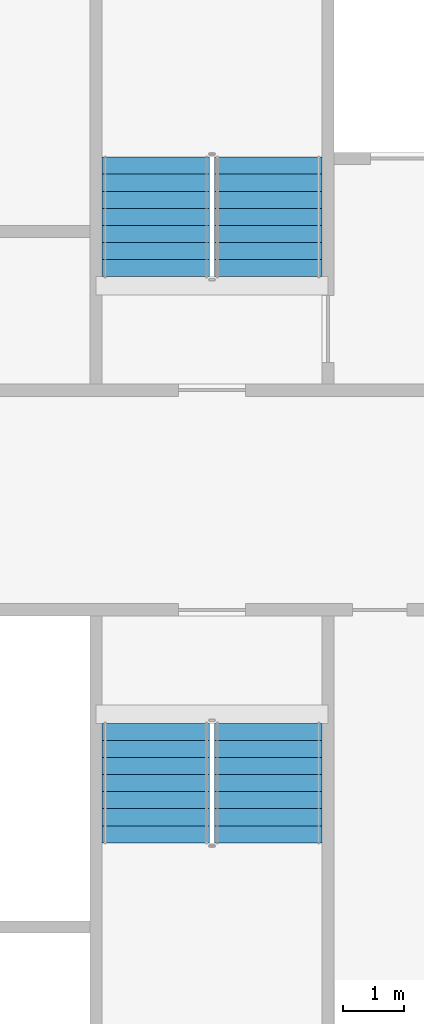
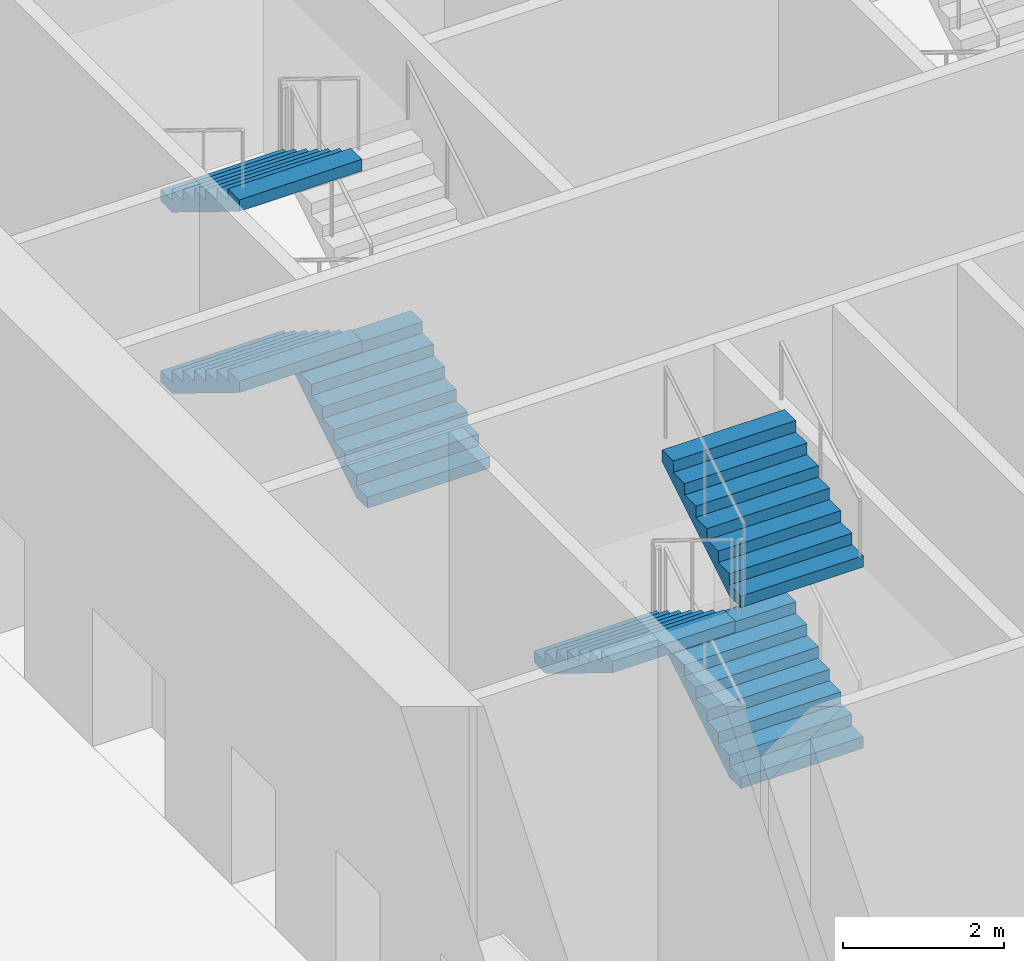
# One storey, part 14 of 23: 6 stair flights, 2 elements without a shape of their own.
"""IFC4 building model written with IfcOpenShell, lengths in metres."""

from ifc_helpers import new_model, si_unit, direction, frame, origin, place, context, subcontext, project, spatial, faceted_brep, material, type_object, element, aggregate, save


model = new_model("IFC4")

# Units and contexts
model_context = context("Model", 3, precision=1e-05, world=origin(), true_north=direction((0.0, 1.0)))
body_context = subcontext(model_context, "Body", "Model", "MODEL_VIEW")
ifc_project = project(units=[si_unit("LENGTHUNIT", "METRE"), si_unit("AREAUNIT", "SQUARE_METRE"), si_unit("VOLUMEUNIT", "CUBIC_METRE"), si_unit("PLANEANGLEUNIT", "RADIAN"), si_unit("MASSUNIT", "GRAM", prefix="KILO")], contexts=[model_context])

# Site, building, storey
site_placement = place(None, origin())
site = spatial("IfcSite", under=ifc_project, at=site_placement, CompositionType="ELEMENT")
building_placement = place(site_placement, origin())
building = spatial("IfcBuilding", under=site, at=building_placement, Name="Tarsis Ring Headquarters", CompositionType="ELEMENT")
storey_placement = place(building_placement, frame((0.0, 0.0, 14.0)))
storey = spatial("IfcBuildingStorey", under=building, at=storey_placement, Name="L02", CompositionType="ELEMENT", Elevation=14.0)

# Stair, stair flights
ifc_material_1 = material(Name="Core stair 1760")
stair_type = type_object("IfcStairType", Name="Core stair 1760", PredefinedType="HALF_TURN_STAIR", material=ifc_material_1)
stair_1_placement = place(storey_placement, origin())
stair_1 = element("IfcStair", 1, at=stair_1_placement, inside=storey, type_object=stair_type, Name="L02 Firefighting stair", PredefinedType="HALF_TURN_STAIR")
ifc_material_2 = material(Name="Concrete C40/50", Category="concrete")
stair_flight_type = type_object("IfcStairFlightType", Name="Core stair flight 1760", PredefinedType="STRAIGHT", material=ifc_material_2)
stair_flight_1_placement = place(storey_placement, frame((-3.580078125, 3.659912109375, 0.0), z_axis=(0.0, 0.0, 1.0), x_axis=(0.0, 1.0, 0.0)))
stair_flight_1 = element("IfcStairFlight", 2, at=stair_flight_1_placement, type_object=stair_flight_type, Name="Stair ST1 flight 1", NumberOfRisers=8, NumberOfTreads=7, PredefinedType="STRAIGHT", RiserHeight=0.171875, TreadLength=0.28, context=body_context, shape_type="Brep", body=[
    faceted_brep([(0.0, 0.8798828125, 0.0), (0.0, 0.8798828125, 0.171875), (0.280029296875, 0.8798828125, 0.171875), (0.280029296875, 0.8798828125, 0.34375), (0.56005859375, 0.8798828125, 0.34375), (0.56005859375, 0.8798828125, 0.515625), (0.840087890625, 0.8798828125, 0.515625), (0.840087890625, 0.8798828125, 0.6875), (1.1201171875, 0.8798828125, 0.6875), (1.1201171875, 0.8798828125, 0.859375), (1.39990234375, 0.8798828125, 0.859375), (1.39990234375, 0.8798828125, 1.03125), (1.679931640625, 0.8798828125, 1.03125), (1.679931640625, 0.8798828125, 1.203125), (1.9599609375, 0.8798828125, 1.203125), (1.9599609375, 0.8798828125, 1.02734375), (0.28662109375, 0.8798828125, 0.0), (0.28662109375, -0.8798828125, 0.0), (1.9599609375, -0.8798828125, 1.02734375), (1.9599609375, -0.8798828125, 1.203125), (1.679931640625, -0.8798828125, 1.203125), (1.679931640625, -0.8798828125, 1.03125), (1.39990234375, -0.8798828125, 1.03125), (1.39990234375, -0.8798828125, 0.859375), (1.1201171875, -0.8798828125, 0.859375), (1.1201171875, -0.8798828125, 0.6875), (0.840087890625, -0.8798828125, 0.6875), (0.840087890625, -0.8798828125, 0.515625), (0.56005859375, -0.8798828125, 0.515625), (0.56005859375, -0.8798828125, 0.34375), (0.280029296875, -0.8798828125, 0.34375), (0.280029296875, -0.8798828125, 0.171875), (0.0, -0.8798828125, 0.171875), (0.0, -0.8798828125, 0.0), (0.0, -0.43994140625, 0.171875), (0.0, -0.43994140625, 0.0), (0.0, 0.0, 0.171875), (0.0, 0.0, 0.0), (0.0, 0.43994140625, 0.171875), (0.0, 0.43994140625, 0.0), (0.280029296875, -0.43994140625, 0.171875), (0.280029296875, 0.0, 0.171875), (0.280029296875, 0.43994140625, 0.171875), (0.280029296875, -0.43994140625, 0.34375), (0.280029296875, 0.0, 0.34375), (0.280029296875, 0.43994140625, 0.34375), (0.56005859375, -0.43994140625, 0.34375), (0.56005859375, 0.0, 0.34375), (0.56005859375, 0.43994140625, 0.34375), (0.56005859375, -0.43994140625, 0.515625), (0.56005859375, 0.0, 0.515625), (0.56005859375, 0.43994140625, 0.515625), (0.840087890625, -0.43994140625, 0.515625), (0.840087890625, 0.0, 0.515625), (0.840087890625, 0.43994140625, 0.515625), (0.840087890625, -0.43994140625, 0.6875), (0.840087890625, 0.0, 0.6875), (0.840087890625, 0.43994140625, 0.6875), (1.1201171875, -0.43994140625, 0.6875), (1.1201171875, 0.0, 0.6875), (1.1201171875, 0.43994140625, 0.6875), (1.1201171875, -0.43994140625, 0.859375), (1.1201171875, 0.0, 0.859375), (1.1201171875, 0.43994140625, 0.859375), (1.39990234375, -0.43994140625, 0.859375), (1.39990234375, 0.0, 0.859375), (1.39990234375, 0.43994140625, 0.859375), (1.39990234375, -0.43994140625, 1.03125), (1.39990234375, 0.0, 1.03125), (1.39990234375, 0.43994140625, 1.03125), (1.679931640625, -0.43994140625, 1.03125), (1.679931640625, 0.0, 1.03125), (1.679931640625, 0.43994140625, 1.03125), (1.679931640625, -0.43994140625, 1.203125), (1.679931640625, 0.0, 1.203125), (1.679931640625, 0.43994140625, 1.203125), (1.9599609375, -0.43994140625, 1.203125), (1.9599609375, 0.0, 1.203125), (1.9599609375, 0.43994140625, 1.203125), (1.9599609375, -0.43994140625, 1.02734375), (1.9599609375, 0.0, 1.02734375), (1.9599609375, 0.43994140625, 1.02734375), (0.28662109375, -0.43994140625, 0.0), (0.28662109375, 0.0, 0.0), (0.28662109375, 0.43994140625, 0.0)], [[[0, 1, 2, 3, 4, 5, 6, 7, 8, 9, 10, 11, 12, 13, 14, 15, 16]], [[17, 18, 19, 20, 21, 22, 23, 24, 25, 26, 27, 28, 29, 30, 31, 32, 33]], [[33, 32, 34, 35]], [[35, 34, 36, 37]], [[37, 36, 38, 39]], [[39, 38, 1, 0]], [[32, 31, 40, 34]], [[34, 40, 41, 36]], [[36, 41, 42, 38]], [[38, 42, 2, 1]], [[31, 30, 43, 40]], [[40, 43, 44, 41]], [[41, 44, 45, 42]], [[42, 45, 3, 2]], [[30, 29, 46, 43]], [[43, 46, 47, 44]], [[44, 47, 48, 45]], [[45, 48, 4, 3]], [[29, 28, 49, 46]], [[46, 49, 50, 47]], [[47, 50, 51, 48]], [[48, 51, 5, 4]], [[28, 27, 52, 49]], [[49, 52, 53, 50]], [[50, 53, 54, 51]], [[51, 54, 6, 5]], [[27, 26, 55, 52]], [[52, 55, 56, 53]], [[53, 56, 57, 54]], [[54, 57, 7, 6]], [[26, 25, 58, 55]], [[55, 58, 59, 56]], [[56, 59, 60, 57]], [[57, 60, 8, 7]], [[25, 24, 61, 58]], [[58, 61, 62, 59]], [[59, 62, 63, 60]], [[60, 63, 9, 8]], [[24, 23, 64, 61]], [[61, 64, 65, 62]], [[62, 65, 66, 63]], [[63, 66, 10, 9]], [[23, 22, 67, 64]], [[64, 67, 68, 65]], [[65, 68, 69, 66]], [[66, 69, 11, 10]], [[22, 21, 70, 67]], [[67, 70, 71, 68]], [[68, 71, 72, 69]], [[69, 72, 12, 11]], [[21, 20, 73, 70]], [[70, 73, 74, 71]], [[71, 74, 75, 72]], [[72, 75, 13, 12]], [[20, 19, 76, 73]], [[73, 76, 77, 74]], [[74, 77, 78, 75]], [[75, 78, 14, 13]], [[19, 18, 79, 76]], [[76, 79, 80, 77]], [[77, 80, 81, 78]], [[78, 81, 15, 14]], [[18, 17, 82, 79]], [[79, 82, 83, 80]], [[80, 83, 84, 81]], [[81, 84, 16, 15]], [[17, 33, 35, 82]], [[82, 35, 37, 83]], [[83, 37, 39, 84]], [[84, 39, 0, 16]]]),
])
stair_flight_2_placement = place(storey_placement, frame((-5.419921875, 5.6201171875, 1.375), z_axis=(0.0, 0.0, 1.0), x_axis=(0.0, -1.0, 0.0)))
stair_flight_2 = element("IfcStairFlight", 3, at=stair_flight_2_placement, type_object=stair_flight_type, Name="Stair ST1 flight 2", NumberOfRisers=8, NumberOfTreads=7, PredefinedType="STRAIGHT", RiserHeight=0.171875, TreadLength=0.28, context=body_context, shape_type="Brep", body=[
    faceted_brep([(0.0, 0.8798828125, 0.0), (0.0, 0.8798828125, 0.171875), (0.280029296875, 0.8798828125, 0.171875), (0.280029296875, 0.8798828125, 0.34375), (0.56005859375, 0.8798828125, 0.34375), (0.56005859375, 0.8798828125, 0.515625), (0.840087890625, 0.8798828125, 0.515625), (0.840087890625, 0.8798828125, 0.6875), (1.1201171875, 0.8798828125, 0.6875), (1.1201171875, 0.8798828125, 0.859375), (1.39990234375, 0.8798828125, 0.859375), (1.39990234375, 0.8798828125, 1.03125), (1.679931640625, 0.8798828125, 1.03125), (1.679931640625, 0.8798828125, 1.203125), (1.9599609375, 0.8798828125, 1.203125), (1.9599609375, 0.8798828125, 1.02734375), (0.28662109375, 0.8798828125, 0.0), (0.28662109375, -0.8798828125, 0.0), (1.9599609375, -0.8798828125, 1.02734375), (1.9599609375, -0.8798828125, 1.203125), (1.679931640625, -0.8798828125, 1.203125), (1.679931640625, -0.8798828125, 1.03125), (1.39990234375, -0.8798828125, 1.03125), (1.39990234375, -0.8798828125, 0.859375), (1.1201171875, -0.8798828125, 0.859375), (1.1201171875, -0.8798828125, 0.6875), (0.840087890625, -0.8798828125, 0.6875), (0.840087890625, -0.8798828125, 0.515625), (0.56005859375, -0.8798828125, 0.515625), (0.56005859375, -0.8798828125, 0.34375), (0.280029296875, -0.8798828125, 0.34375), (0.280029296875, -0.8798828125, 0.171875), (0.0, -0.8798828125, 0.171875), (0.0, -0.8798828125, 0.0), (0.0, -0.43994140625, 0.171875), (0.0, -0.43994140625, 0.0), (0.0, 0.0, 0.171875), (0.0, 0.0, 0.0), (0.0, 0.43994140625, 0.171875), (0.0, 0.43994140625, 0.0), (0.280029296875, -0.43994140625, 0.171875), (0.280029296875, 0.0, 0.171875), (0.280029296875, 0.43994140625, 0.171875), (0.280029296875, -0.43994140625, 0.34375), (0.280029296875, 0.0, 0.34375), (0.280029296875, 0.43994140625, 0.34375), (0.56005859375, -0.43994140625, 0.34375), (0.56005859375, 0.0, 0.34375), (0.56005859375, 0.43994140625, 0.34375), (0.56005859375, -0.43994140625, 0.515625), (0.56005859375, 0.0, 0.515625), (0.56005859375, 0.43994140625, 0.515625), (0.840087890625, -0.43994140625, 0.515625), (0.840087890625, 0.0, 0.515625), (0.840087890625, 0.43994140625, 0.515625), (0.840087890625, -0.43994140625, 0.6875), (0.840087890625, 0.0, 0.6875), (0.840087890625, 0.43994140625, 0.6875), (1.1201171875, -0.43994140625, 0.6875), (1.1201171875, 0.0, 0.6875), (1.1201171875, 0.43994140625, 0.6875), (1.1201171875, -0.43994140625, 0.859375), (1.1201171875, 0.0, 0.859375), (1.1201171875, 0.43994140625, 0.859375), (1.39990234375, -0.43994140625, 0.859375), (1.39990234375, 0.0, 0.859375), (1.39990234375, 0.43994140625, 0.859375), (1.39990234375, -0.43994140625, 1.03125), (1.39990234375, 0.0, 1.03125), (1.39990234375, 0.43994140625, 1.03125), (1.679931640625, -0.43994140625, 1.03125), (1.679931640625, 0.0, 1.03125), (1.679931640625, 0.43994140625, 1.03125), (1.679931640625, -0.43994140625, 1.203125), (1.679931640625, 0.0, 1.203125), (1.679931640625, 0.43994140625, 1.203125), (1.9599609375, -0.43994140625, 1.203125), (1.9599609375, 0.0, 1.203125), (1.9599609375, 0.43994140625, 1.203125), (1.9599609375, -0.43994140625, 1.02734375), (1.9599609375, 0.0, 1.02734375), (1.9599609375, 0.43994140625, 1.02734375), (0.28662109375, -0.43994140625, 0.0), (0.28662109375, 0.0, 0.0), (0.28662109375, 0.43994140625, 0.0)], [[[0, 1, 2, 3, 4, 5, 6, 7, 8, 9, 10, 11, 12, 13, 14, 15, 16]], [[17, 18, 19, 20, 21, 22, 23, 24, 25, 26, 27, 28, 29, 30, 31, 32, 33]], [[33, 32, 34, 35]], [[35, 34, 36, 37]], [[37, 36, 38, 39]], [[39, 38, 1, 0]], [[32, 31, 40, 34]], [[34, 40, 41, 36]], [[36, 41, 42, 38]], [[38, 42, 2, 1]], [[31, 30, 43, 40]], [[40, 43, 44, 41]], [[41, 44, 45, 42]], [[42, 45, 3, 2]], [[30, 29, 46, 43]], [[43, 46, 47, 44]], [[44, 47, 48, 45]], [[45, 48, 4, 3]], [[29, 28, 49, 46]], [[46, 49, 50, 47]], [[47, 50, 51, 48]], [[48, 51, 5, 4]], [[28, 27, 52, 49]], [[49, 52, 53, 50]], [[50, 53, 54, 51]], [[51, 54, 6, 5]], [[27, 26, 55, 52]], [[52, 55, 56, 53]], [[53, 56, 57, 54]], [[54, 57, 7, 6]], [[26, 25, 58, 55]], [[55, 58, 59, 56]], [[56, 59, 60, 57]], [[57, 60, 8, 7]], [[25, 24, 61, 58]], [[58, 61, 62, 59]], [[59, 62, 63, 60]], [[60, 63, 9, 8]], [[24, 23, 64, 61]], [[61, 64, 65, 62]], [[62, 65, 66, 63]], [[63, 66, 10, 9]], [[23, 22, 67, 64]], [[64, 67, 68, 65]], [[65, 68, 69, 66]], [[66, 69, 11, 10]], [[22, 21, 70, 67]], [[67, 70, 71, 68]], [[68, 71, 72, 69]], [[69, 72, 12, 11]], [[21, 20, 73, 70]], [[70, 73, 74, 71]], [[71, 74, 75, 72]], [[72, 75, 13, 12]], [[20, 19, 76, 73]], [[73, 76, 77, 74]], [[74, 77, 78, 75]], [[75, 78, 14, 13]], [[19, 18, 79, 76]], [[76, 79, 80, 77]], [[77, 80, 81, 78]], [[78, 81, 15, 14]], [[18, 17, 82, 79]], [[79, 82, 83, 80]], [[80, 83, 84, 81]], [[81, 84, 16, 15]], [[17, 33, 35, 82]], [[82, 35, 37, 83]], [[83, 37, 39, 84]], [[84, 39, 0, 16]]]),
])
stair_flight_3_placement = place(storey_placement, frame((-5.419921875, 5.6201171875, 4.125), z_axis=(0.0, 0.0, 1.0), x_axis=(0.0, -1.0, 0.0)))
stair_flight_3 = element("IfcStairFlight", 4, at=stair_flight_3_placement, type_object=stair_flight_type, Name="Stair ST1 flight 4", NumberOfRisers=8, NumberOfTreads=7, PredefinedType="STRAIGHT", RiserHeight=0.171875, TreadLength=0.28, context=body_context, shape_type="Brep", body=[
    faceted_brep([(0.0, 0.8798828125, 0.0), (0.0, 0.8798828125, 0.171875), (0.280029296875, 0.8798828125, 0.171875), (0.280029296875, 0.8798828125, 0.34375), (0.56005859375, 0.8798828125, 0.34375), (0.56005859375, 0.8798828125, 0.515625), (0.840087890625, 0.8798828125, 0.515625), (0.840087890625, 0.8798828125, 0.6875), (1.1201171875, 0.8798828125, 0.6875), (1.1201171875, 0.8798828125, 0.859375), (1.39990234375, 0.8798828125, 0.859375), (1.39990234375, 0.8798828125, 1.03125), (1.679931640625, 0.8798828125, 1.03125), (1.679931640625, 0.8798828125, 1.203125), (1.9599609375, 0.8798828125, 1.203125), (1.9599609375, 0.8798828125, 1.02734375), (0.28662109375, 0.8798828125, 0.0), (0.28662109375, -0.8798828125, 0.0), (1.9599609375, -0.8798828125, 1.02734375), (1.9599609375, -0.8798828125, 1.203125), (1.679931640625, -0.8798828125, 1.203125), (1.679931640625, -0.8798828125, 1.03125), (1.39990234375, -0.8798828125, 1.03125), (1.39990234375, -0.8798828125, 0.859375), (1.1201171875, -0.8798828125, 0.859375), (1.1201171875, -0.8798828125, 0.6875), (0.840087890625, -0.8798828125, 0.6875), (0.840087890625, -0.8798828125, 0.515625), (0.56005859375, -0.8798828125, 0.515625), (0.56005859375, -0.8798828125, 0.34375), (0.280029296875, -0.8798828125, 0.34375), (0.280029296875, -0.8798828125, 0.171875), (0.0, -0.8798828125, 0.171875), (0.0, -0.8798828125, 0.0), (0.0, -0.43994140625, 0.171875), (0.0, -0.43994140625, 0.0), (0.0, 0.0, 0.171875), (0.0, 0.0, 0.0), (0.0, 0.43994140625, 0.171875), (0.0, 0.43994140625, 0.0), (0.280029296875, -0.43994140625, 0.171875), (0.280029296875, 0.0, 0.171875), (0.280029296875, 0.43994140625, 0.171875), (0.280029296875, -0.43994140625, 0.34375), (0.280029296875, 0.0, 0.34375), (0.280029296875, 0.43994140625, 0.34375), (0.56005859375, -0.43994140625, 0.34375), (0.56005859375, 0.0, 0.34375), (0.56005859375, 0.43994140625, 0.34375), (0.56005859375, -0.43994140625, 0.515625), (0.56005859375, 0.0, 0.515625), (0.56005859375, 0.43994140625, 0.515625), (0.840087890625, -0.43994140625, 0.515625), (0.840087890625, 0.0, 0.515625), (0.840087890625, 0.43994140625, 0.515625), (0.840087890625, -0.43994140625, 0.6875), (0.840087890625, 0.0, 0.6875), (0.840087890625, 0.43994140625, 0.6875), (1.1201171875, -0.43994140625, 0.6875), (1.1201171875, 0.0, 0.6875), (1.1201171875, 0.43994140625, 0.6875), (1.1201171875, -0.43994140625, 0.859375), (1.1201171875, 0.0, 0.859375), (1.1201171875, 0.43994140625, 0.859375), (1.39990234375, -0.43994140625, 0.859375), (1.39990234375, 0.0, 0.859375), (1.39990234375, 0.43994140625, 0.859375), (1.39990234375, -0.43994140625, 1.03125), (1.39990234375, 0.0, 1.03125), (1.39990234375, 0.43994140625, 1.03125), (1.679931640625, -0.43994140625, 1.03125), (1.679931640625, 0.0, 1.03125), (1.679931640625, 0.43994140625, 1.03125), (1.679931640625, -0.43994140625, 1.203125), (1.679931640625, 0.0, 1.203125), (1.679931640625, 0.43994140625, 1.203125), (1.9599609375, -0.43994140625, 1.203125), (1.9599609375, 0.0, 1.203125), (1.9599609375, 0.43994140625, 1.203125), (1.9599609375, -0.43994140625, 1.02734375), (1.9599609375, 0.0, 1.02734375), (1.9599609375, 0.43994140625, 1.02734375), (0.28662109375, -0.43994140625, 0.0), (0.28662109375, 0.0, 0.0), (0.28662109375, 0.43994140625, 0.0)], [[[0, 1, 2, 3, 4, 5, 6, 7, 8, 9, 10, 11, 12, 13, 14, 15, 16]], [[17, 18, 19, 20, 21, 22, 23, 24, 25, 26, 27, 28, 29, 30, 31, 32, 33]], [[33, 32, 34, 35]], [[35, 34, 36, 37]], [[37, 36, 38, 39]], [[39, 38, 1, 0]], [[32, 31, 40, 34]], [[34, 40, 41, 36]], [[36, 41, 42, 38]], [[38, 42, 2, 1]], [[31, 30, 43, 40]], [[40, 43, 44, 41]], [[41, 44, 45, 42]], [[42, 45, 3, 2]], [[30, 29, 46, 43]], [[43, 46, 47, 44]], [[44, 47, 48, 45]], [[45, 48, 4, 3]], [[29, 28, 49, 46]], [[46, 49, 50, 47]], [[47, 50, 51, 48]], [[48, 51, 5, 4]], [[28, 27, 52, 49]], [[49, 52, 53, 50]], [[50, 53, 54, 51]], [[51, 54, 6, 5]], [[27, 26, 55, 52]], [[52, 55, 56, 53]], [[53, 56, 57, 54]], [[54, 57, 7, 6]], [[26, 25, 58, 55]], [[55, 58, 59, 56]], [[56, 59, 60, 57]], [[57, 60, 8, 7]], [[25, 24, 61, 58]], [[58, 61, 62, 59]], [[59, 62, 63, 60]], [[60, 63, 9, 8]], [[24, 23, 64, 61]], [[61, 64, 65, 62]], [[62, 65, 66, 63]], [[63, 66, 10, 9]], [[23, 22, 67, 64]], [[64, 67, 68, 65]], [[65, 68, 69, 66]], [[66, 69, 11, 10]], [[22, 21, 70, 67]], [[67, 70, 71, 68]], [[68, 71, 72, 69]], [[69, 72, 12, 11]], [[21, 20, 73, 70]], [[70, 73, 74, 71]], [[71, 74, 75, 72]], [[72, 75, 13, 12]], [[20, 19, 76, 73]], [[73, 76, 77, 74]], [[74, 77, 78, 75]], [[75, 78, 14, 13]], [[19, 18, 79, 76]], [[76, 79, 80, 77]], [[77, 80, 81, 78]], [[78, 81, 15, 14]], [[18, 17, 82, 79]], [[79, 82, 83, 80]], [[80, 83, 84, 81]], [[81, 84, 16, 15]], [[17, 33, 35, 82]], [[82, 35, 37, 83]], [[83, 37, 39, 84]], [[84, 39, 0, 16]]]),
])
aggregate(stair_1, [stair_flight_1, stair_flight_2, stair_flight_3])

stair_2_placement = place(storey_placement, origin())
stair_2 = element("IfcStair", 5, at=stair_2_placement, inside=storey, type_object=stair_type, Name="L02 Exit stair C", PredefinedType="HALF_TURN_STAIR")
stair_flight_4_placement = place(storey_placement, frame((-3.580078125, -5.6201171875, 1.375), z_axis=(0.0, 0.0, 1.0), x_axis=(0.0, 1.0, 0.0)))
stair_flight_4 = element("IfcStairFlight", 6, at=stair_flight_4_placement, type_object=stair_flight_type, Name="Stair ST3 flight 2", NumberOfRisers=8, NumberOfTreads=7, PredefinedType="STRAIGHT", RiserHeight=0.171875, TreadLength=0.28, context=body_context, shape_type="Brep", body=[
    faceted_brep([(0.0, 0.8798828125, 0.0), (0.0, 0.8798828125, 0.171875), (0.280029296875, 0.8798828125, 0.171875), (0.280029296875, 0.8798828125, 0.34375), (0.56005859375, 0.8798828125, 0.34375), (0.56005859375, 0.8798828125, 0.515625), (0.840087890625, 0.8798828125, 0.515625), (0.840087890625, 0.8798828125, 0.6875), (1.1201171875, 0.8798828125, 0.6875), (1.1201171875, 0.8798828125, 0.859375), (1.39990234375, 0.8798828125, 0.859375), (1.39990234375, 0.8798828125, 1.03125), (1.679931640625, 0.8798828125, 1.03125), (1.679931640625, 0.8798828125, 1.203125), (1.9599609375, 0.8798828125, 1.203125), (1.9599609375, 0.8798828125, 1.02734375), (0.28662109375, 0.8798828125, 0.0), (0.28662109375, -0.8798828125, 0.0), (1.9599609375, -0.8798828125, 1.02734375), (1.9599609375, -0.8798828125, 1.203125), (1.679931640625, -0.8798828125, 1.203125), (1.679931640625, -0.8798828125, 1.03125), (1.39990234375, -0.8798828125, 1.03125), (1.39990234375, -0.8798828125, 0.859375), (1.1201171875, -0.8798828125, 0.859375), (1.1201171875, -0.8798828125, 0.6875), (0.840087890625, -0.8798828125, 0.6875), (0.840087890625, -0.8798828125, 0.515625), (0.56005859375, -0.8798828125, 0.515625), (0.56005859375, -0.8798828125, 0.34375), (0.280029296875, -0.8798828125, 0.34375), (0.280029296875, -0.8798828125, 0.171875), (0.0, -0.8798828125, 0.171875), (0.0, -0.8798828125, 0.0), (0.0, -0.43994140625, 0.171875), (0.0, -0.43994140625, 0.0), (0.0, 0.0, 0.171875), (0.0, 0.0, 0.0), (0.0, 0.43994140625, 0.171875), (0.0, 0.43994140625, 0.0), (0.280029296875, -0.43994140625, 0.171875), (0.280029296875, 0.0, 0.171875), (0.280029296875, 0.43994140625, 0.171875), (0.280029296875, -0.43994140625, 0.34375), (0.280029296875, 0.0, 0.34375), (0.280029296875, 0.43994140625, 0.34375), (0.56005859375, -0.43994140625, 0.34375), (0.56005859375, 0.0, 0.34375), (0.56005859375, 0.43994140625, 0.34375), (0.56005859375, -0.43994140625, 0.515625), (0.56005859375, 0.0, 0.515625), (0.56005859375, 0.43994140625, 0.515625), (0.840087890625, -0.43994140625, 0.515625), (0.840087890625, 0.0, 0.515625), (0.840087890625, 0.43994140625, 0.515625), (0.840087890625, -0.43994140625, 0.6875), (0.840087890625, 0.0, 0.6875), (0.840087890625, 0.43994140625, 0.6875), (1.1201171875, -0.43994140625, 0.6875), (1.1201171875, 0.0, 0.6875), (1.1201171875, 0.43994140625, 0.6875), (1.1201171875, -0.43994140625, 0.859375), (1.1201171875, 0.0, 0.859375), (1.1201171875, 0.43994140625, 0.859375), (1.39990234375, -0.43994140625, 0.859375), (1.39990234375, 0.0, 0.859375), (1.39990234375, 0.43994140625, 0.859375), (1.39990234375, -0.43994140625, 1.03125), (1.39990234375, 0.0, 1.03125), (1.39990234375, 0.43994140625, 1.03125), (1.679931640625, -0.43994140625, 1.03125), (1.679931640625, 0.0, 1.03125), (1.679931640625, 0.43994140625, 1.03125), (1.679931640625, -0.43994140625, 1.203125), (1.679931640625, 0.0, 1.203125), (1.679931640625, 0.43994140625, 1.203125), (1.9599609375, -0.43994140625, 1.203125), (1.9599609375, 0.0, 1.203125), (1.9599609375, 0.43994140625, 1.203125), (1.9599609375, -0.43994140625, 1.02734375), (1.9599609375, 0.0, 1.02734375), (1.9599609375, 0.43994140625, 1.02734375), (0.28662109375, -0.43994140625, 0.0), (0.28662109375, 0.0, 0.0), (0.28662109375, 0.43994140625, 0.0)], [[[0, 1, 2, 3, 4, 5, 6, 7, 8, 9, 10, 11, 12, 13, 14, 15, 16]], [[17, 18, 19, 20, 21, 22, 23, 24, 25, 26, 27, 28, 29, 30, 31, 32, 33]], [[33, 32, 34, 35]], [[35, 34, 36, 37]], [[37, 36, 38, 39]], [[39, 38, 1, 0]], [[32, 31, 40, 34]], [[34, 40, 41, 36]], [[36, 41, 42, 38]], [[38, 42, 2, 1]], [[31, 30, 43, 40]], [[40, 43, 44, 41]], [[41, 44, 45, 42]], [[42, 45, 3, 2]], [[30, 29, 46, 43]], [[43, 46, 47, 44]], [[44, 47, 48, 45]], [[45, 48, 4, 3]], [[29, 28, 49, 46]], [[46, 49, 50, 47]], [[47, 50, 51, 48]], [[48, 51, 5, 4]], [[28, 27, 52, 49]], [[49, 52, 53, 50]], [[50, 53, 54, 51]], [[51, 54, 6, 5]], [[27, 26, 55, 52]], [[52, 55, 56, 53]], [[53, 56, 57, 54]], [[54, 57, 7, 6]], [[26, 25, 58, 55]], [[55, 58, 59, 56]], [[56, 59, 60, 57]], [[57, 60, 8, 7]], [[25, 24, 61, 58]], [[58, 61, 62, 59]], [[59, 62, 63, 60]], [[60, 63, 9, 8]], [[24, 23, 64, 61]], [[61, 64, 65, 62]], [[62, 65, 66, 63]], [[63, 66, 10, 9]], [[23, 22, 67, 64]], [[64, 67, 68, 65]], [[65, 68, 69, 66]], [[66, 69, 11, 10]], [[22, 21, 70, 67]], [[67, 70, 71, 68]], [[68, 71, 72, 69]], [[69, 72, 12, 11]], [[21, 20, 73, 70]], [[70, 73, 74, 71]], [[71, 74, 75, 72]], [[72, 75, 13, 12]], [[20, 19, 76, 73]], [[73, 76, 77, 74]], [[74, 77, 78, 75]], [[75, 78, 14, 13]], [[19, 18, 79, 76]], [[76, 79, 80, 77]], [[77, 80, 81, 78]], [[78, 81, 15, 14]], [[18, 17, 82, 79]], [[79, 82, 83, 80]], [[80, 83, 84, 81]], [[81, 84, 16, 15]], [[17, 33, 35, 82]], [[82, 35, 37, 83]], [[83, 37, 39, 84]], [[84, 39, 0, 16]]]),
])
stair_flight_5_placement = place(storey_placement, frame((-5.419921875, -3.659912109375, 2.75), z_axis=(0.0, 0.0, 1.0), x_axis=(0.0, -1.0, 0.0)))
stair_flight_5 = element("IfcStairFlight", 7, at=stair_flight_5_placement, type_object=stair_flight_type, Name="Stair ST3 flight 3", NumberOfRisers=8, NumberOfTreads=7, PredefinedType="STRAIGHT", RiserHeight=0.171875, TreadLength=0.28, context=body_context, shape_type="Brep", body=[
    faceted_brep([(0.0, 0.8798828125, 0.0), (0.0, 0.8798828125, 0.171875), (0.280029296875, 0.8798828125, 0.171875), (0.280029296875, 0.8798828125, 0.34375), (0.56005859375, 0.8798828125, 0.34375), (0.56005859375, 0.8798828125, 0.515625), (0.840087890625, 0.8798828125, 0.515625), (0.840087890625, 0.8798828125, 0.6875), (1.1201171875, 0.8798828125, 0.6875), (1.1201171875, 0.8798828125, 0.859375), (1.39990234375, 0.8798828125, 0.859375), (1.39990234375, 0.8798828125, 1.03125), (1.679931640625, 0.8798828125, 1.03125), (1.679931640625, 0.8798828125, 1.203125), (1.9599609375, 0.8798828125, 1.203125), (1.9599609375, 0.8798828125, 1.02734375), (0.28662109375, 0.8798828125, 0.0), (0.28662109375, -0.8798828125, 0.0), (1.9599609375, -0.8798828125, 1.02734375), (1.9599609375, -0.8798828125, 1.203125), (1.679931640625, -0.8798828125, 1.203125), (1.679931640625, -0.8798828125, 1.03125), (1.39990234375, -0.8798828125, 1.03125), (1.39990234375, -0.8798828125, 0.859375), (1.1201171875, -0.8798828125, 0.859375), (1.1201171875, -0.8798828125, 0.6875), (0.840087890625, -0.8798828125, 0.6875), (0.840087890625, -0.8798828125, 0.515625), (0.56005859375, -0.8798828125, 0.515625), (0.56005859375, -0.8798828125, 0.34375), (0.280029296875, -0.8798828125, 0.34375), (0.280029296875, -0.8798828125, 0.171875), (0.0, -0.8798828125, 0.171875), (0.0, -0.8798828125, 0.0), (0.0, -0.43994140625, 0.171875), (0.0, -0.43994140625, 0.0), (0.0, 0.0, 0.171875), (0.0, 0.0, 0.0), (0.0, 0.43994140625, 0.171875), (0.0, 0.43994140625, 0.0), (0.280029296875, -0.43994140625, 0.171875), (0.280029296875, 0.0, 0.171875), (0.280029296875, 0.43994140625, 0.171875), (0.280029296875, -0.43994140625, 0.34375), (0.280029296875, 0.0, 0.34375), (0.280029296875, 0.43994140625, 0.34375), (0.56005859375, -0.43994140625, 0.34375), (0.56005859375, 0.0, 0.34375), (0.56005859375, 0.43994140625, 0.34375), (0.56005859375, -0.43994140625, 0.515625), (0.56005859375, 0.0, 0.515625), (0.56005859375, 0.43994140625, 0.515625), (0.840087890625, -0.43994140625, 0.515625), (0.840087890625, 0.0, 0.515625), (0.840087890625, 0.43994140625, 0.515625), (0.840087890625, -0.43994140625, 0.6875), (0.840087890625, 0.0, 0.6875), (0.840087890625, 0.43994140625, 0.6875), (1.1201171875, -0.43994140625, 0.6875), (1.1201171875, 0.0, 0.6875), (1.1201171875, 0.43994140625, 0.6875), (1.1201171875, -0.43994140625, 0.859375), (1.1201171875, 0.0, 0.859375), (1.1201171875, 0.43994140625, 0.859375), (1.39990234375, -0.43994140625, 0.859375), (1.39990234375, 0.0, 0.859375), (1.39990234375, 0.43994140625, 0.859375), (1.39990234375, -0.43994140625, 1.03125), (1.39990234375, 0.0, 1.03125), (1.39990234375, 0.43994140625, 1.03125), (1.679931640625, -0.43994140625, 1.03125), (1.679931640625, 0.0, 1.03125), (1.679931640625, 0.43994140625, 1.03125), (1.679931640625, -0.43994140625, 1.203125), (1.679931640625, 0.0, 1.203125), (1.679931640625, 0.43994140625, 1.203125), (1.9599609375, -0.43994140625, 1.203125), (1.9599609375, 0.0, 1.203125), (1.9599609375, 0.43994140625, 1.203125), (1.9599609375, -0.43994140625, 1.02734375), (1.9599609375, 0.0, 1.02734375), (1.9599609375, 0.43994140625, 1.02734375), (0.28662109375, -0.43994140625, 0.0), (0.28662109375, 0.0, 0.0), (0.28662109375, 0.43994140625, 0.0)], [[[0, 1, 2, 3, 4, 5, 6, 7, 8, 9, 10, 11, 12, 13, 14, 15, 16]], [[17, 18, 19, 20, 21, 22, 23, 24, 25, 26, 27, 28, 29, 30, 31, 32, 33]], [[33, 32, 34, 35]], [[35, 34, 36, 37]], [[37, 36, 38, 39]], [[39, 38, 1, 0]], [[32, 31, 40, 34]], [[34, 40, 41, 36]], [[36, 41, 42, 38]], [[38, 42, 2, 1]], [[31, 30, 43, 40]], [[40, 43, 44, 41]], [[41, 44, 45, 42]], [[42, 45, 3, 2]], [[30, 29, 46, 43]], [[43, 46, 47, 44]], [[44, 47, 48, 45]], [[45, 48, 4, 3]], [[29, 28, 49, 46]], [[46, 49, 50, 47]], [[47, 50, 51, 48]], [[48, 51, 5, 4]], [[28, 27, 52, 49]], [[49, 52, 53, 50]], [[50, 53, 54, 51]], [[51, 54, 6, 5]], [[27, 26, 55, 52]], [[52, 55, 56, 53]], [[53, 56, 57, 54]], [[54, 57, 7, 6]], [[26, 25, 58, 55]], [[55, 58, 59, 56]], [[56, 59, 60, 57]], [[57, 60, 8, 7]], [[25, 24, 61, 58]], [[58, 61, 62, 59]], [[59, 62, 63, 60]], [[60, 63, 9, 8]], [[24, 23, 64, 61]], [[61, 64, 65, 62]], [[62, 65, 66, 63]], [[63, 66, 10, 9]], [[23, 22, 67, 64]], [[64, 67, 68, 65]], [[65, 68, 69, 66]], [[66, 69, 11, 10]], [[22, 21, 70, 67]], [[67, 70, 71, 68]], [[68, 71, 72, 69]], [[69, 72, 12, 11]], [[21, 20, 73, 70]], [[70, 73, 74, 71]], [[71, 74, 75, 72]], [[72, 75, 13, 12]], [[20, 19, 76, 73]], [[73, 76, 77, 74]], [[74, 77, 78, 75]], [[75, 78, 14, 13]], [[19, 18, 79, 76]], [[76, 79, 80, 77]], [[77, 80, 81, 78]], [[78, 81, 15, 14]], [[18, 17, 82, 79]], [[79, 82, 83, 80]], [[80, 83, 84, 81]], [[81, 84, 16, 15]], [[17, 33, 35, 82]], [[82, 35, 37, 83]], [[83, 37, 39, 84]], [[84, 39, 0, 16]]]),
])
stair_flight_6_placement = place(storey_placement, frame((-3.580078125, -5.6201171875, 4.125), z_axis=(0.0, 0.0, 1.0), x_axis=(0.0, 1.0, 0.0)))
stair_flight_6 = element("IfcStairFlight", 8, at=stair_flight_6_placement, type_object=stair_flight_type, Name="Stair ST3 flight 4", NumberOfRisers=8, NumberOfTreads=7, PredefinedType="STRAIGHT", RiserHeight=0.171875, TreadLength=0.28, context=body_context, shape_type="Brep", body=[
    faceted_brep([(0.0, 0.8798828125, 0.0), (0.0, 0.8798828125, 0.171875), (0.280029296875, 0.8798828125, 0.171875), (0.280029296875, 0.8798828125, 0.34375), (0.56005859375, 0.8798828125, 0.34375), (0.56005859375, 0.8798828125, 0.515625), (0.840087890625, 0.8798828125, 0.515625), (0.840087890625, 0.8798828125, 0.6875), (1.1201171875, 0.8798828125, 0.6875), (1.1201171875, 0.8798828125, 0.859375), (1.39990234375, 0.8798828125, 0.859375), (1.39990234375, 0.8798828125, 1.03125), (1.679931640625, 0.8798828125, 1.03125), (1.679931640625, 0.8798828125, 1.203125), (1.9599609375, 0.8798828125, 1.203125), (1.9599609375, 0.8798828125, 1.02734375), (0.28662109375, 0.8798828125, 0.0), (0.28662109375, -0.8798828125, 0.0), (1.9599609375, -0.8798828125, 1.02734375), (1.9599609375, -0.8798828125, 1.203125), (1.679931640625, -0.8798828125, 1.203125), (1.679931640625, -0.8798828125, 1.03125), (1.39990234375, -0.8798828125, 1.03125), (1.39990234375, -0.8798828125, 0.859375), (1.1201171875, -0.8798828125, 0.859375), (1.1201171875, -0.8798828125, 0.6875), (0.840087890625, -0.8798828125, 0.6875), (0.840087890625, -0.8798828125, 0.515625), (0.56005859375, -0.8798828125, 0.515625), (0.56005859375, -0.8798828125, 0.34375), (0.280029296875, -0.8798828125, 0.34375), (0.280029296875, -0.8798828125, 0.171875), (0.0, -0.8798828125, 0.171875), (0.0, -0.8798828125, 0.0), (0.0, -0.43994140625, 0.171875), (0.0, -0.43994140625, 0.0), (0.0, 0.0, 0.171875), (0.0, 0.0, 0.0), (0.0, 0.43994140625, 0.171875), (0.0, 0.43994140625, 0.0), (0.280029296875, -0.43994140625, 0.171875), (0.280029296875, 0.0, 0.171875), (0.280029296875, 0.43994140625, 0.171875), (0.280029296875, -0.43994140625, 0.34375), (0.280029296875, 0.0, 0.34375), (0.280029296875, 0.43994140625, 0.34375), (0.56005859375, -0.43994140625, 0.34375), (0.56005859375, 0.0, 0.34375), (0.56005859375, 0.43994140625, 0.34375), (0.56005859375, -0.43994140625, 0.515625), (0.56005859375, 0.0, 0.515625), (0.56005859375, 0.43994140625, 0.515625), (0.840087890625, -0.43994140625, 0.515625), (0.840087890625, 0.0, 0.515625), (0.840087890625, 0.43994140625, 0.515625), (0.840087890625, -0.43994140625, 0.6875), (0.840087890625, 0.0, 0.6875), (0.840087890625, 0.43994140625, 0.6875), (1.1201171875, -0.43994140625, 0.6875), (1.1201171875, 0.0, 0.6875), (1.1201171875, 0.43994140625, 0.6875), (1.1201171875, -0.43994140625, 0.859375), (1.1201171875, 0.0, 0.859375), (1.1201171875, 0.43994140625, 0.859375), (1.39990234375, -0.43994140625, 0.859375), (1.39990234375, 0.0, 0.859375), (1.39990234375, 0.43994140625, 0.859375), (1.39990234375, -0.43994140625, 1.03125), (1.39990234375, 0.0, 1.03125), (1.39990234375, 0.43994140625, 1.03125), (1.679931640625, -0.43994140625, 1.03125), (1.679931640625, 0.0, 1.03125), (1.679931640625, 0.43994140625, 1.03125), (1.679931640625, -0.43994140625, 1.203125), (1.679931640625, 0.0, 1.203125), (1.679931640625, 0.43994140625, 1.203125), (1.9599609375, -0.43994140625, 1.203125), (1.9599609375, 0.0, 1.203125), (1.9599609375, 0.43994140625, 1.203125), (1.9599609375, -0.43994140625, 1.02734375), (1.9599609375, 0.0, 1.02734375), (1.9599609375, 0.43994140625, 1.02734375), (0.28662109375, -0.43994140625, 0.0), (0.28662109375, 0.0, 0.0), (0.28662109375, 0.43994140625, 0.0)], [[[0, 1, 2, 3, 4, 5, 6, 7, 8, 9, 10, 11, 12, 13, 14, 15, 16]], [[17, 18, 19, 20, 21, 22, 23, 24, 25, 26, 27, 28, 29, 30, 31, 32, 33]], [[33, 32, 34, 35]], [[35, 34, 36, 37]], [[37, 36, 38, 39]], [[39, 38, 1, 0]], [[32, 31, 40, 34]], [[34, 40, 41, 36]], [[36, 41, 42, 38]], [[38, 42, 2, 1]], [[31, 30, 43, 40]], [[40, 43, 44, 41]], [[41, 44, 45, 42]], [[42, 45, 3, 2]], [[30, 29, 46, 43]], [[43, 46, 47, 44]], [[44, 47, 48, 45]], [[45, 48, 4, 3]], [[29, 28, 49, 46]], [[46, 49, 50, 47]], [[47, 50, 51, 48]], [[48, 51, 5, 4]], [[28, 27, 52, 49]], [[49, 52, 53, 50]], [[50, 53, 54, 51]], [[51, 54, 6, 5]], [[27, 26, 55, 52]], [[52, 55, 56, 53]], [[53, 56, 57, 54]], [[54, 57, 7, 6]], [[26, 25, 58, 55]], [[55, 58, 59, 56]], [[56, 59, 60, 57]], [[57, 60, 8, 7]], [[25, 24, 61, 58]], [[58, 61, 62, 59]], [[59, 62, 63, 60]], [[60, 63, 9, 8]], [[24, 23, 64, 61]], [[61, 64, 65, 62]], [[62, 65, 66, 63]], [[63, 66, 10, 9]], [[23, 22, 67, 64]], [[64, 67, 68, 65]], [[65, 68, 69, 66]], [[66, 69, 11, 10]], [[22, 21, 70, 67]], [[67, 70, 71, 68]], [[68, 71, 72, 69]], [[69, 72, 12, 11]], [[21, 20, 73, 70]], [[70, 73, 74, 71]], [[71, 74, 75, 72]], [[72, 75, 13, 12]], [[20, 19, 76, 73]], [[73, 76, 77, 74]], [[74, 77, 78, 75]], [[75, 78, 14, 13]], [[19, 18, 79, 76]], [[76, 79, 80, 77]], [[77, 80, 81, 78]], [[78, 81, 15, 14]], [[18, 17, 82, 79]], [[79, 82, 83, 80]], [[80, 83, 84, 81]], [[81, 84, 16, 15]], [[17, 33, 35, 82]], [[82, 35, 37, 83]], [[83, 37, 39, 84]], [[84, 39, 0, 16]]]),
])
aggregate(stair_2, [stair_flight_4, stair_flight_5, stair_flight_6])

save(model, "model.ifc")
